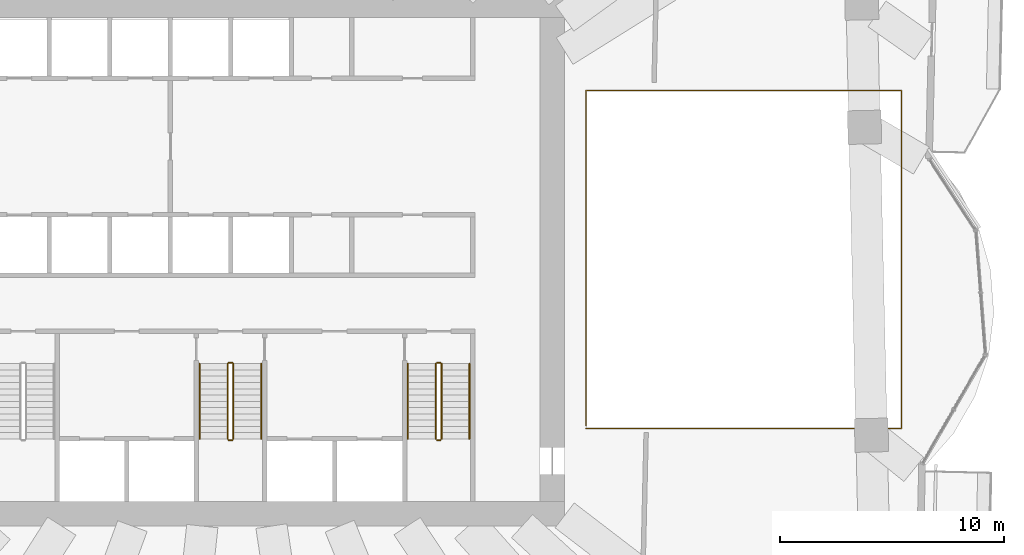
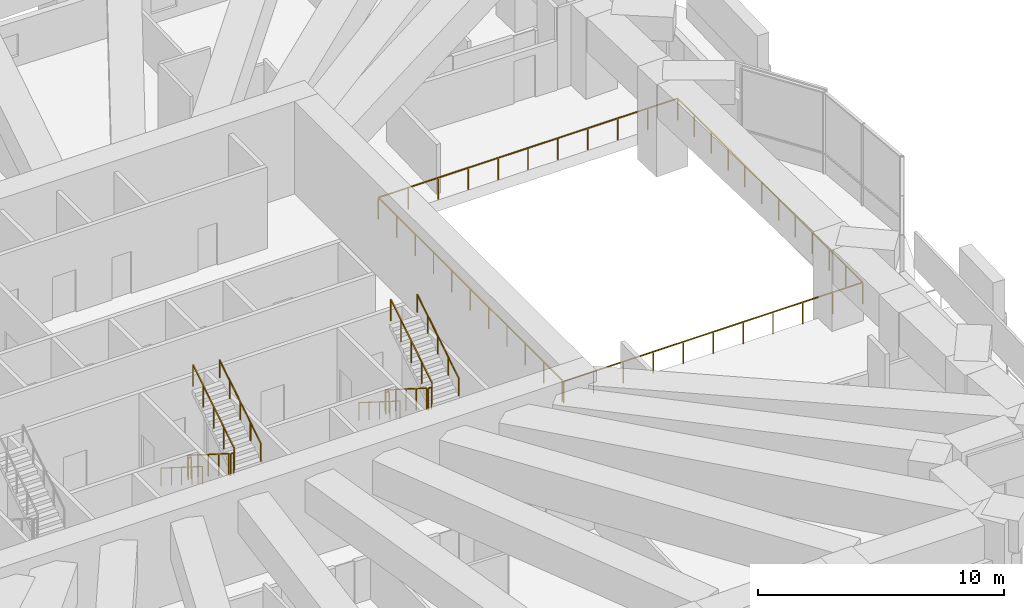
# One storey, part 18 of 20: 13 railings.
"""IFC4 building model written with IfcOpenShell, lengths in metres."""

from ifc_helpers import new_model, si_unit, direction, frame, origin, origin_2d, place, context, subcontext, project, spatial, rectangle, circle, extrude, material, type_object, element, save


model = new_model("IFC4")

# Units and contexts
model_context = context("Model", 3, precision=1e-05, world=origin(), true_north=direction((0.0, 1.0)))
body_context = subcontext(model_context, "Body", "Model", "MODEL_VIEW")
ifc_project = project(units=[si_unit("LENGTHUNIT", "METRE"), si_unit("AREAUNIT", "SQUARE_METRE"), si_unit("VOLUMEUNIT", "CUBIC_METRE"), si_unit("PLANEANGLEUNIT", "RADIAN"), si_unit("MASSUNIT", "GRAM", prefix="KILO")], contexts=[model_context])

# Site, building, storey
site_placement = place(None, origin())
site = spatial("IfcSite", under=ifc_project, at=site_placement, CompositionType="ELEMENT")
building_placement = place(site_placement, origin())
building = spatial("IfcBuilding", under=site, at=building_placement, Name="Mangrove Gate Tower", CompositionType="ELEMENT")
storey_placement = place(building_placement, frame((0.0, 0.0, 52.10009765625)))
storey = spatial("IfcBuildingStorey", under=building, at=storey_placement, Name="L12", CompositionType="ELEMENT", Elevation=52.10009765625)

# Railings
ifc_material_1 = material(Name="Stainless steel grade 316 with laminated glass infill", Category="steel")
railing_type_1 = type_object("IfcRailingType", Name="Balcony guard 1100", PredefinedType="GUARDRAIL", material=ifc_material_1)
railing_1_placement = place(storey_placement, frame((15.860107421875, -7.5400390625, 0.0)))
element("IfcRailing", 1, at=railing_1_placement, inside=storey, type_object=railing_type_1, Name="GUARD L12 atrium", PredefinedType="GUARDRAIL", context=body_context, shape_type="SweptSolid", body=[
    extrude(rectangle(XDim=0.048095703125, YDim=0.048095703125, at=origin_2d()), frame((0.0, 0.0, 1.076171875), z_axis=(1.0, 0.0, 0.0), x_axis=(0.0, 1.0, 0.0)), (0.0, 0.0, 1.0), 14.06982421875),
    extrude(rectangle(XDim=0.048095703125, YDim=0.048095703125, at=origin_2d()), frame((14.06982421875, 0.0, 1.076171875), z_axis=(0.0, 1.0, 0.0), x_axis=(-1.0, 0.0, 0.0)), (0.0, 0.0, 1.0), 15.080078125),
    extrude(rectangle(XDim=0.048095703125, YDim=0.048095703125, at=origin_2d()), frame((14.06982421875, 15.080078125, 1.076171875), z_axis=(-1.0, 0.0, 0.0), x_axis=(0.0, -1.0, 0.0)), (0.0, 0.0, 1.0), 14.06982421875),
    extrude(rectangle(XDim=0.048095703125, YDim=0.048095703125, at=origin_2d()), frame((0.0, 15.080078125, 1.076171875), z_axis=(0.0, -1.0, 0.0), x_axis=(1.0, 0.0, 0.0)), (0.0, 0.0, 1.0), 14.9599609375),
    extrude(rectangle(XDim=0.0419921875, YDim=0.0419921875, at=origin_2d()), origin(), (0.0, 0.0, 1.0), 1.052001953125),
    extrude(rectangle(XDim=0.0419921875, YDim=0.0419921875, at=origin_2d()), frame((1.406982421875, 0.0, 0.0)), (0.0, 0.0, 1.0), 1.052001953125),
    extrude(rectangle(XDim=0.0419921875, YDim=0.0419921875, at=origin_2d()), frame((2.81396484375, 0.0, 0.0)), (0.0, 0.0, 1.0), 1.052001953125),
    extrude(rectangle(XDim=0.0419921875, YDim=0.0419921875, at=origin_2d()), frame((4.220947265625, 0.0, 0.0)), (0.0, 0.0, 1.0), 1.052001953125),
    extrude(rectangle(XDim=0.0419921875, YDim=0.0419921875, at=origin_2d()), frame((5.6279296875, 0.0, 0.0)), (0.0, 0.0, 1.0), 1.052001953125),
    extrude(rectangle(XDim=0.0419921875, YDim=0.0419921875, at=origin_2d()), frame((7.034912109375, 0.0, 0.0)), (0.0, 0.0, 1.0), 1.052001953125),
    extrude(rectangle(XDim=0.0419921875, YDim=0.0419921875, at=origin_2d()), frame((8.44189453125, 0.0, 0.0)), (0.0, 0.0, 1.0), 1.052001953125),
    extrude(rectangle(XDim=0.0419921875, YDim=0.0419921875, at=origin_2d()), frame((9.848876953125, 0.0, 0.0)), (0.0, 0.0, 1.0), 1.052001953125),
    extrude(rectangle(XDim=0.0419921875, YDim=0.0419921875, at=origin_2d()), frame((11.255859375, 0.0, 0.0)), (0.0, 0.0, 1.0), 1.052001953125),
    extrude(rectangle(XDim=0.0419921875, YDim=0.0419921875, at=origin_2d()), frame((12.662841796875, 0.0, 0.0)), (0.0, 0.0, 1.0), 1.052001953125),
    extrude(rectangle(XDim=0.0419921875, YDim=0.0419921875, at=origin_2d()), frame((14.06982421875, 0.0, 0.0)), (0.0, 0.0, 1.0), 1.052001953125),
    extrude(rectangle(XDim=0.0419921875, YDim=0.0419921875, at=origin_2d()), frame((14.06982421875, 1.370849609375, 0.0)), (0.0, 0.0, 1.0), 1.052001953125),
    extrude(rectangle(XDim=0.0419921875, YDim=0.0419921875, at=origin_2d()), frame((14.06982421875, 2.741943359375, 0.0)), (0.0, 0.0, 1.0), 1.052001953125),
    extrude(rectangle(XDim=0.0419921875, YDim=0.0419921875, at=origin_2d()), frame((14.06982421875, 4.11279296875, 0.0)), (0.0, 0.0, 1.0), 1.052001953125),
    extrude(rectangle(XDim=0.0419921875, YDim=0.0419921875, at=origin_2d()), frame((14.06982421875, 5.483642578125, 0.0)), (0.0, 0.0, 1.0), 1.052001953125),
    extrude(rectangle(XDim=0.0419921875, YDim=0.0419921875, at=origin_2d()), frame((14.06982421875, 6.8544921875, 0.0)), (0.0, 0.0, 1.0), 1.052001953125),
    extrude(rectangle(XDim=0.0419921875, YDim=0.0419921875, at=origin_2d()), frame((14.06982421875, 8.2255859375, 0.0)), (0.0, 0.0, 1.0), 1.052001953125),
    extrude(rectangle(XDim=0.0419921875, YDim=0.0419921875, at=origin_2d()), frame((14.06982421875, 9.596435546875, 0.0)), (0.0, 0.0, 1.0), 1.052001953125),
    extrude(rectangle(XDim=0.0419921875, YDim=0.0419921875, at=origin_2d()), frame((14.06982421875, 10.96728515625, 0.0)), (0.0, 0.0, 1.0), 1.052001953125),
    extrude(rectangle(XDim=0.0419921875, YDim=0.0419921875, at=origin_2d()), frame((14.06982421875, 12.338134765625, 0.0)), (0.0, 0.0, 1.0), 1.052001953125),
    extrude(rectangle(XDim=0.0419921875, YDim=0.0419921875, at=origin_2d()), frame((14.06982421875, 13.709228515625, 0.0)), (0.0, 0.0, 1.0), 1.052001953125),
    extrude(rectangle(XDim=0.0419921875, YDim=0.0419921875, at=origin_2d()), frame((14.06982421875, 15.080078125, 0.0)), (0.0, 0.0, 1.0), 1.052001953125),
    extrude(rectangle(XDim=0.0419921875, YDim=0.0419921875, at=origin_2d()), frame((12.662841796875, 15.080078125, 0.0)), (0.0, 0.0, 1.0), 1.052001953125),
    extrude(rectangle(XDim=0.0419921875, YDim=0.0419921875, at=origin_2d()), frame((11.255859375, 15.080078125, 0.0)), (0.0, 0.0, 1.0), 1.052001953125),
    extrude(rectangle(XDim=0.0419921875, YDim=0.0419921875, at=origin_2d()), frame((9.848876953125, 15.080078125, 0.0)), (0.0, 0.0, 1.0), 1.052001953125),
    extrude(rectangle(XDim=0.0419921875, YDim=0.0419921875, at=origin_2d()), frame((8.44189453125, 15.080078125, 0.0)), (0.0, 0.0, 1.0), 1.052001953125),
    extrude(rectangle(XDim=0.0419921875, YDim=0.0419921875, at=origin_2d()), frame((7.034912109375, 15.080078125, 0.0)), (0.0, 0.0, 1.0), 1.052001953125),
    extrude(rectangle(XDim=0.0419921875, YDim=0.0419921875, at=origin_2d()), frame((5.6279296875, 15.080078125, 0.0)), (0.0, 0.0, 1.0), 1.052001953125),
    extrude(rectangle(XDim=0.0419921875, YDim=0.0419921875, at=origin_2d()), frame((4.220947265625, 15.080078125, 0.0)), (0.0, 0.0, 1.0), 1.052001953125),
    extrude(rectangle(XDim=0.0419921875, YDim=0.0419921875, at=origin_2d()), frame((2.81396484375, 15.080078125, 0.0)), (0.0, 0.0, 1.0), 1.052001953125),
    extrude(rectangle(XDim=0.0419921875, YDim=0.0419921875, at=origin_2d()), frame((1.406982421875, 15.080078125, 0.0)), (0.0, 0.0, 1.0), 1.052001953125),
    extrude(rectangle(XDim=0.0419921875, YDim=0.0419921875, at=origin_2d()), frame((0.0, 15.080078125, 0.0)), (0.0, 0.0, 1.0), 1.052001953125),
    extrude(rectangle(XDim=0.0419921875, YDim=0.0419921875, at=origin_2d()), frame((0.0, 13.583984375, 0.0)), (0.0, 0.0, 1.0), 1.052001953125),
    extrude(rectangle(XDim=0.0419921875, YDim=0.0419921875, at=origin_2d()), frame((0.0, 12.088134765625, 0.0)), (0.0, 0.0, 1.0), 1.052001953125),
    extrude(rectangle(XDim=0.0419921875, YDim=0.0419921875, at=origin_2d()), frame((0.0, 10.592041015625, 0.0)), (0.0, 0.0, 1.0), 1.052001953125),
    extrude(rectangle(XDim=0.0419921875, YDim=0.0419921875, at=origin_2d()), frame((0.0, 9.09619140625, 0.0)), (0.0, 0.0, 1.0), 1.052001953125),
    extrude(rectangle(XDim=0.0419921875, YDim=0.0419921875, at=origin_2d()), frame((0.0, 7.60009765625, 0.0)), (0.0, 0.0, 1.0), 1.052001953125),
    extrude(rectangle(XDim=0.0419921875, YDim=0.0419921875, at=origin_2d()), frame((0.0, 6.10400390625, 0.0)), (0.0, 0.0, 1.0), 1.052001953125),
    extrude(rectangle(XDim=0.0419921875, YDim=0.0419921875, at=origin_2d()), frame((0.0, 4.608154296875, 0.0)), (0.0, 0.0, 1.0), 1.052001953125),
    extrude(rectangle(XDim=0.0419921875, YDim=0.0419921875, at=origin_2d()), frame((0.0, 3.112060546875, 0.0)), (0.0, 0.0, 1.0), 1.052001953125),
    extrude(rectangle(XDim=0.0419921875, YDim=0.0419921875, at=origin_2d()), frame((0.0, 1.6162109375, 0.0)), (0.0, 0.0, 1.0), 1.052001953125),
    extrude(rectangle(XDim=0.0419921875, YDim=0.0419921875, at=origin_2d()), frame((0.0, 0.1201171875, 0.0)), (0.0, 0.0, 1.0), 1.052001953125),
])
ifc_material_2 = material(Name="Stainless steel 316", Category="steel")
railing_type_2 = type_object("IfcRailingType", Name="Core stair guard 1100", PredefinedType="GUARDRAIL", material=ifc_material_2)
railing_2_placement = place(storey_placement, frame((-0.14990234375, -4.64990234375, 0.1767578125)))
element("IfcRailing", 2, at=railing_2_placement, inside=storey, type_object=railing_type_2, Name="L12 ST2 stair guard 1", PredefinedType="GUARDRAIL", context=body_context, shape_type="SweptSolid", body=[
    extrude(rectangle(XDim=0.048095703125, YDim=0.048095703125, at=origin_2d()), frame((0.0, 0.0, 1.076171875), z_axis=(0.0, -0.845389635667, 0.534150132366), x_axis=(1.0, 0.0, 0.0)), (0.0, 0.0, 1.0), 3.974609375),
    extrude(rectangle(XDim=0.0419921875, YDim=0.0419921875, at=origin_2d()), origin(), (0.0, 0.0, 1.0), 1.052001953125),
    extrude(rectangle(XDim=0.0419921875, YDim=0.0419921875, at=origin_2d()), frame((0.0, -0.840087890625, 0.53076171875)), (0.0, 0.0, 1.0), 1.052001953125),
    extrude(rectangle(XDim=0.0419921875, YDim=0.0419921875, at=origin_2d()), frame((0.0, -1.68017578125, 1.0615234375)), (0.0, 0.0, 1.0), 1.052001953125),
    extrude(rectangle(XDim=0.0419921875, YDim=0.0419921875, at=origin_2d()), frame((0.0, -2.52001953125, 1.59228515625)), (0.0, 0.0, 1.0), 1.052001953125),
    extrude(rectangle(XDim=0.0419921875, YDim=0.0419921875, at=origin_2d()), frame((0.0, -3.360107421875, 2.123046875)), (0.0, 0.0, 1.0), 1.052001953125),
])
railing_3_placement = place(storey_placement, frame((-0.10009765625, -8.06005859375, 2.2998046875)))
element("IfcRailing", 3, at=railing_3_placement, inside=storey, type_object=railing_type_2, Name="L12 ST2 stair guard 2", PredefinedType="GUARDRAIL", context=body_context, shape_type="SweptSolid", body=[
    extrude(rectangle(XDim=0.048095703125, YDim=0.048095703125, at=origin_2d()), frame((0.0, 0.0, 1.076171875), z_axis=(1.0, 0.0, 0.0), x_axis=(0.0, 1.0, 0.0)), (0.0, 0.0, 1.0), 0.150146484375),
    extrude(rectangle(XDim=0.0419921875, YDim=0.0419921875, at=origin_2d()), origin(), (0.0, 0.0, 1.0), 1.052001953125),
    extrude(rectangle(XDim=0.0419921875, YDim=0.0419921875, at=origin_2d()), frame((0.150146484375, 0.0, 0.0)), (0.0, 0.0, 1.0), 1.052001953125),
])
railing_4_placement = place(storey_placement, frame((0.10009765625, -8.010009765625, 2.476806640625)))
element("IfcRailing", 4, at=railing_4_placement, inside=storey, type_object=railing_type_2, Name="L12 ST2 stair guard 3", PredefinedType="GUARDRAIL", context=body_context, shape_type="SweptSolid", body=[
    extrude(rectangle(XDim=0.048095703125, YDim=0.048095703125, at=origin_2d()), frame((0.0, 0.0, 1.076171875), z_axis=(0.0, 0.845389635667, 0.534150132366), x_axis=(-1.0, 0.0, 0.0)), (0.0, 0.0, 1.0), 3.974609375),
    extrude(rectangle(XDim=0.0419921875, YDim=0.0419921875, at=origin_2d()), origin(), (0.0, 0.0, 1.0), 1.052001953125),
    extrude(rectangle(XDim=0.0419921875, YDim=0.0419921875, at=origin_2d()), frame((0.0, 0.840087890625, 0.53076171875)), (0.0, 0.0, 1.0), 1.052001953125),
    extrude(rectangle(XDim=0.0419921875, YDim=0.0419921875, at=origin_2d()), frame((0.0, 1.68017578125, 1.0615234375)), (0.0, 0.0, 1.0), 1.052001953125),
    extrude(rectangle(XDim=0.0419921875, YDim=0.0419921875, at=origin_2d()), frame((0.0, 2.52001953125, 1.59228515625)), (0.0, 0.0, 1.0), 1.052001953125),
    extrude(rectangle(XDim=0.0419921875, YDim=0.0419921875, at=origin_2d()), frame((0.0, 3.360107421875, 2.123046875)), (0.0, 0.0, 1.0), 1.052001953125),
])
railing_5_placement = place(storey_placement, frame((-0.10009765625, -4.60009765625, 0.0)))
element("IfcRailing", 5, at=railing_5_placement, inside=storey, type_object=railing_type_2, Name="L12 ST2 stair guard 4", PredefinedType="GUARDRAIL", context=body_context, shape_type="SweptSolid", body=[
    extrude(rectangle(XDim=0.048095703125, YDim=0.048095703125, at=origin_2d()), frame((0.0, 0.0, 1.076171875), z_axis=(1.0, 0.0, 0.0), x_axis=(0.0, 1.0, 0.0)), (0.0, 0.0, 1.0), 0.150146484375),
    extrude(rectangle(XDim=0.0419921875, YDim=0.0419921875, at=origin_2d()), origin(), (0.0, 0.0, 1.0), 1.052001953125),
    extrude(rectangle(XDim=0.0419921875, YDim=0.0419921875, at=origin_2d()), frame((0.150146484375, 0.0, 0.0)), (0.0, 0.0, 1.0), 1.052001953125),
])
railing_6_placement = place(storey_placement, frame((9.14990234375, -4.64990234375, 0.1767578125)))
element("IfcRailing", 6, at=railing_6_placement, inside=storey, type_object=railing_type_2, Name="L12 ST3 stair guard 1", PredefinedType="GUARDRAIL", context=body_context, shape_type="SweptSolid", body=[
    extrude(rectangle(XDim=0.048095703125, YDim=0.048095703125, at=origin_2d()), frame((0.0, 0.0, 1.076171875), z_axis=(0.0, -0.845389635667, 0.534150132366), x_axis=(1.0, 0.0, 0.0)), (0.0, 0.0, 1.0), 3.974609375),
    extrude(rectangle(XDim=0.0419921875, YDim=0.0419921875, at=origin_2d()), origin(), (0.0, 0.0, 1.0), 1.052001953125),
    extrude(rectangle(XDim=0.0419921875, YDim=0.0419921875, at=origin_2d()), frame((0.0, -0.840087890625, 0.53076171875)), (0.0, 0.0, 1.0), 1.052001953125),
    extrude(rectangle(XDim=0.0419921875, YDim=0.0419921875, at=origin_2d()), frame((0.0, -1.68017578125, 1.0615234375)), (0.0, 0.0, 1.0), 1.052001953125),
    extrude(rectangle(XDim=0.0419921875, YDim=0.0419921875, at=origin_2d()), frame((0.0, -2.52001953125, 1.59228515625)), (0.0, 0.0, 1.0), 1.052001953125),
    extrude(rectangle(XDim=0.0419921875, YDim=0.0419921875, at=origin_2d()), frame((0.0, -3.360107421875, 2.123046875)), (0.0, 0.0, 1.0), 1.052001953125),
])
railing_7_placement = place(storey_placement, frame((9.199951171875, -8.06005859375, 2.2998046875)))
element("IfcRailing", 7, at=railing_7_placement, inside=storey, type_object=railing_type_2, Name="L12 ST3 stair guard 2", PredefinedType="GUARDRAIL", context=body_context, shape_type="SweptSolid", body=[
    extrude(rectangle(XDim=0.048095703125, YDim=0.048095703125, at=origin_2d()), frame((0.0, 0.0, 1.076171875), z_axis=(1.0, 0.0, 0.0), x_axis=(0.0, 1.0, 0.0)), (0.0, 0.0, 1.0), 0.150146484375),
    extrude(rectangle(XDim=0.0419921875, YDim=0.0419921875, at=origin_2d()), origin(), (0.0, 0.0, 1.0), 1.052001953125),
    extrude(rectangle(XDim=0.0419921875, YDim=0.0419921875, at=origin_2d()), frame((0.150146484375, 0.0, 0.0)), (0.0, 0.0, 1.0), 1.052001953125),
])
railing_8_placement = place(storey_placement, frame((9.39990234375, -8.010009765625, 2.476806640625)))
element("IfcRailing", 8, at=railing_8_placement, inside=storey, type_object=railing_type_2, Name="L12 ST3 stair guard 3", PredefinedType="GUARDRAIL", context=body_context, shape_type="SweptSolid", body=[
    extrude(rectangle(XDim=0.048095703125, YDim=0.048095703125, at=origin_2d()), frame((0.0, 0.0, 1.076171875), z_axis=(0.0, 0.845389635667, 0.534150132366), x_axis=(-1.0, 0.0, 0.0)), (0.0, 0.0, 1.0), 3.974609375),
    extrude(rectangle(XDim=0.0419921875, YDim=0.0419921875, at=origin_2d()), origin(), (0.0, 0.0, 1.0), 1.052001953125),
    extrude(rectangle(XDim=0.0419921875, YDim=0.0419921875, at=origin_2d()), frame((0.0, 0.840087890625, 0.53076171875)), (0.0, 0.0, 1.0), 1.052001953125),
    extrude(rectangle(XDim=0.0419921875, YDim=0.0419921875, at=origin_2d()), frame((0.0, 1.68017578125, 1.0615234375)), (0.0, 0.0, 1.0), 1.052001953125),
    extrude(rectangle(XDim=0.0419921875, YDim=0.0419921875, at=origin_2d()), frame((0.0, 2.52001953125, 1.59228515625)), (0.0, 0.0, 1.0), 1.052001953125),
    extrude(rectangle(XDim=0.0419921875, YDim=0.0419921875, at=origin_2d()), frame((0.0, 3.360107421875, 2.123046875)), (0.0, 0.0, 1.0), 1.052001953125),
])
railing_9_placement = place(storey_placement, frame((9.199951171875, -4.60009765625, 0.0)))
element("IfcRailing", 9, at=railing_9_placement, inside=storey, type_object=railing_type_2, Name="L12 ST3 stair guard 4", PredefinedType="GUARDRAIL", context=body_context, shape_type="SweptSolid", body=[
    extrude(rectangle(XDim=0.048095703125, YDim=0.048095703125, at=origin_2d()), frame((0.0, 0.0, 1.076171875), z_axis=(1.0, 0.0, 0.0), x_axis=(0.0, 1.0, 0.0)), (0.0, 0.0, 1.0), 0.150146484375),
    extrude(rectangle(XDim=0.0419921875, YDim=0.0419921875, at=origin_2d()), origin(), (0.0, 0.0, 1.0), 1.052001953125),
    extrude(rectangle(XDim=0.0419921875, YDim=0.0419921875, at=origin_2d()), frame((0.150146484375, 0.0, 0.0)), (0.0, 0.0, 1.0), 1.052001953125),
])
ifc_material_3 = material(Name="Stainless steel 316", Category="steel")
railing_type_3 = type_object("IfcRailingType", Name="Core stair handrail 900", PredefinedType="HANDRAIL", material=ifc_material_3)
railing_10_placement = place(storey_placement, frame((-1.39990234375, -4.64990234375, 0.1767578125)))
element("IfcRailing", 10, at=railing_10_placement, inside=storey, type_object=railing_type_3, Name="L12 ST2 stair handrail 1", PredefinedType="HANDRAIL", context=body_context, shape_type="SweptSolid", body=[
    extrude(circle(Radius=0.02392578125, at=origin_2d()), frame((0.0, 0.0, 0.8759765625), z_axis=(0.0, -0.845389635667, 0.534150132366), x_axis=(1.0, 0.0, 0.0)), (0.0, 0.0, 1.0), 3.974609375),
    extrude(circle(Radius=0.02099609375, at=origin_2d()), origin(), (0.0, 0.0, 1.0), 0.851806640625),
    extrude(circle(Radius=0.02099609375, at=origin_2d()), frame((0.0, -0.840087890625, 0.53076171875)), (0.0, 0.0, 1.0), 0.851806640625),
    extrude(circle(Radius=0.02099609375, at=origin_2d()), frame((0.0, -1.68017578125, 1.0615234375)), (0.0, 0.0, 1.0), 0.851806640625),
    extrude(circle(Radius=0.02099609375, at=origin_2d()), frame((0.0, -2.52001953125, 1.59228515625)), (0.0, 0.0, 1.0), 0.851806640625),
    extrude(circle(Radius=0.02099609375, at=origin_2d()), frame((0.0, -3.360107421875, 2.123046875)), (0.0, 0.0, 1.0), 0.851806640625),
])
railing_11_placement = place(storey_placement, frame((1.35009765625, -8.010009765625, 2.476806640625)))
element("IfcRailing", 11, at=railing_11_placement, inside=storey, type_object=railing_type_3, Name="L12 ST2 stair handrail 2", PredefinedType="HANDRAIL", context=body_context, shape_type="SweptSolid", body=[
    extrude(circle(Radius=0.02392578125, at=origin_2d()), frame((0.0, 0.0, 0.8759765625), z_axis=(0.0, 0.845389635667, 0.534150132366), x_axis=(-1.0, 0.0, 0.0)), (0.0, 0.0, 1.0), 3.974609375),
    extrude(circle(Radius=0.02099609375, at=origin_2d()), origin(), (0.0, 0.0, 1.0), 0.851806640625),
    extrude(circle(Radius=0.02099609375, at=origin_2d()), frame((0.0, 0.840087890625, 0.53076171875)), (0.0, 0.0, 1.0), 0.851806640625),
    extrude(circle(Radius=0.02099609375, at=origin_2d()), frame((0.0, 1.68017578125, 1.0615234375)), (0.0, 0.0, 1.0), 0.851806640625),
    extrude(circle(Radius=0.02099609375, at=origin_2d()), frame((0.0, 2.52001953125, 1.59228515625)), (0.0, 0.0, 1.0), 0.851806640625),
    extrude(circle(Radius=0.02099609375, at=origin_2d()), frame((0.0, 3.360107421875, 2.123046875)), (0.0, 0.0, 1.0), 0.851806640625),
])
railing_12_placement = place(storey_placement, frame((7.89990234375, -4.64990234375, 0.1767578125)))
element("IfcRailing", 12, at=railing_12_placement, inside=storey, type_object=railing_type_3, Name="L12 ST3 stair handrail 1", PredefinedType="HANDRAIL", context=body_context, shape_type="SweptSolid", body=[
    extrude(circle(Radius=0.02392578125, at=origin_2d()), frame((0.0, 0.0, 0.8759765625), z_axis=(0.0, -0.845389635667, 0.534150132366), x_axis=(1.0, 0.0, 0.0)), (0.0, 0.0, 1.0), 3.974609375),
    extrude(circle(Radius=0.02099609375, at=origin_2d()), origin(), (0.0, 0.0, 1.0), 0.851806640625),
    extrude(circle(Radius=0.02099609375, at=origin_2d()), frame((0.0, -0.840087890625, 0.53076171875)), (0.0, 0.0, 1.0), 0.851806640625),
    extrude(circle(Radius=0.02099609375, at=origin_2d()), frame((0.0, -1.68017578125, 1.0615234375)), (0.0, 0.0, 1.0), 0.851806640625),
    extrude(circle(Radius=0.02099609375, at=origin_2d()), frame((0.0, -2.52001953125, 1.59228515625)), (0.0, 0.0, 1.0), 0.851806640625),
    extrude(circle(Radius=0.02099609375, at=origin_2d()), frame((0.0, -3.360107421875, 2.123046875)), (0.0, 0.0, 1.0), 0.851806640625),
])
railing_13_placement = place(storey_placement, frame((10.64990234375, -8.010009765625, 2.476806640625)))
element("IfcRailing", 13, at=railing_13_placement, inside=storey, type_object=railing_type_3, Name="L12 ST3 stair handrail 2", PredefinedType="HANDRAIL", context=body_context, shape_type="SweptSolid", body=[
    extrude(circle(Radius=0.02392578125, at=origin_2d()), frame((0.0, 0.0, 0.8759765625), z_axis=(0.0, 0.845389635667, 0.534150132366), x_axis=(-1.0, 0.0, 0.0)), (0.0, 0.0, 1.0), 3.974609375),
    extrude(circle(Radius=0.02099609375, at=origin_2d()), origin(), (0.0, 0.0, 1.0), 0.851806640625),
    extrude(circle(Radius=0.02099609375, at=origin_2d()), frame((0.0, 0.840087890625, 0.53076171875)), (0.0, 0.0, 1.0), 0.851806640625),
    extrude(circle(Radius=0.02099609375, at=origin_2d()), frame((0.0, 1.68017578125, 1.0615234375)), (0.0, 0.0, 1.0), 0.851806640625),
    extrude(circle(Radius=0.02099609375, at=origin_2d()), frame((0.0, 2.52001953125, 1.59228515625)), (0.0, 0.0, 1.0), 0.851806640625),
    extrude(circle(Radius=0.02099609375, at=origin_2d()), frame((0.0, 3.360107421875, 2.123046875)), (0.0, 0.0, 1.0), 0.851806640625),
])

save(model, "model.ifc")
